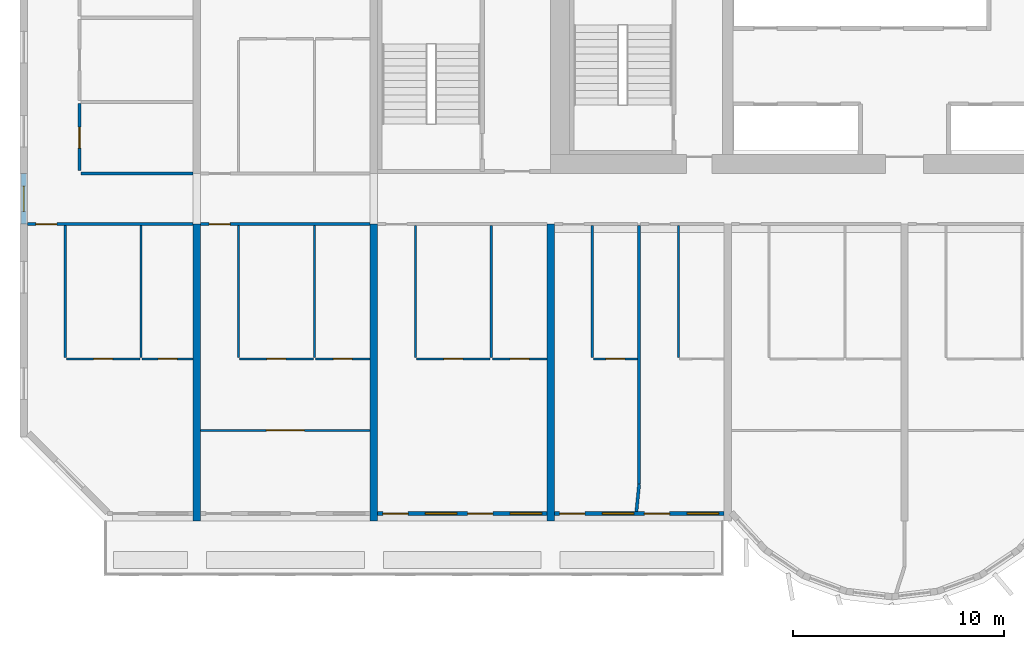
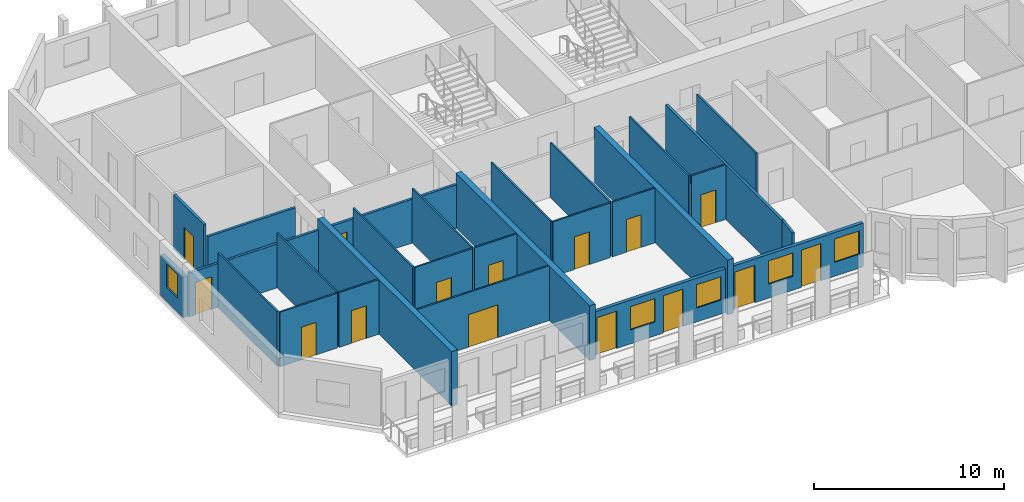
# One storey, part 3 of 15: 28 walls, 15 doors, 5 windows, 20 openings.
"""IFC4 building model written with IfcOpenShell, lengths in metres."""

from ifc_helpers import new_model, si_unit, direction, frame, frame_2d, origin, place, context, subcontext, project, spatial, rectangle, extrude, source, transform, mapped, material, layer, layer_set, type_object, element, fill, save


model = new_model("IFC4")

# Units and contexts
model_context = context("Model", 3, precision=1e-05, world=origin(), true_north=direction((0.0, 1.0)))
body_context = subcontext(model_context, "Body", "Model", "MODEL_VIEW")
ifc_project = project(units=[si_unit("LENGTHUNIT", "METRE"), si_unit("AREAUNIT", "SQUARE_METRE"), si_unit("VOLUMEUNIT", "CUBIC_METRE"), si_unit("PLANEANGLEUNIT", "RADIAN"), si_unit("MASSUNIT", "GRAM", prefix="KILO")], contexts=[model_context])

# Site, building, storey
site_placement = place(None, origin())
site = spatial("IfcSite", under=ifc_project, at=site_placement, CompositionType="ELEMENT")
building_placement = place(site_placement, origin())
building = spatial("IfcBuilding", under=site, at=building_placement, Name="Vanashikhar Sky Hotel", CompositionType="ELEMENT")
storey_placement = place(building_placement, frame((0.0, 0.0, 137.0)))
storey = spatial("IfcBuildingStorey", under=building, at=storey_placement, Name="L33", CompositionType="ELEMENT", Elevation=137.0)

# Walls
ifc_material_1 = material(Name="Concrete M70", Category="concrete")
ifc_layer_1 = layer(ifc_material_1, 0.35009765625)
ifc_layer_set_1 = layer_set([ifc_layer_1], Name="RC shear wall 350 Concrete M70")
wall_type_1 = type_object("IfcWallType", Name="RC shear wall 350 Concrete M70", PredefinedType="SHEAR", material=ifc_layer_set_1)
shared_shape_1 = source(origin(), body_context, "Body", "SweptSolid", [
    extrude(rectangle(XDim=14.10009765625, YDim=0.35009765625, at=frame_2d((7.050048828125, 0.0))), origin(), (0.0, 0.0, 1.0), 3.52001953125),
])
for number, where, z_axis, x_axis, name in (
    (1, (8.39990234375, 5.5, 0.0), (0.0, 0.0, 1.0), (0.0, 1.0, 0.0), "CW-L33-XW02-1"),
    (2, (16.800048828125, 5.5, 0.0), (0.0, 0.0, 1.0), (0.0, 1.0, 0.0), "CW-L33-XW03-1"),
    (3, (25.199951171875, 5.5, 0.0), (0.0, 0.0, 1.0), (0.0, 1.0, 0.0), "CW-L33-XW04-1"),
):
    element("IfcWall", number, at=place(storey_placement, frame(where, z_axis=z_axis, x_axis=x_axis)), inside=storey, type_object=wall_type_1, Name=name, PredefinedType="SHEAR", context=body_context, shape_type="MappedRepresentation", body=[
        mapped(shared_shape_1, transform((0.0, 0.0, 0.0), scale=1.0)),
    ])

# Wall, opening, window
ifc_material_2 = material(Name="Concrete M50", Category="concrete")
ifc_layer_2 = layer(ifc_material_2, 0.25)
ifc_layer_set_2 = layer_set([ifc_layer_2], Name="Rear and end board-marked wall 250")
wall_type_2 = type_object("IfcWallType", Name="Rear and end board-marked wall 250", PredefinedType="SOLIDWALL", material=ifc_layer_set_2)
shared_shape_2 = source(origin(), body_context, "Body", "SweptSolid", [
    extrude(rectangle(XDim=2.39990234375, YDim=0.25, at=frame_2d((1.199951171875, 0.0))), origin(), (0.0, 0.0, 1.0), 2.6201171875),
])
wall_1_placement = place(storey_placement, frame((0.175048828125, 19.60009765625, 0.0), z_axis=(0.0, 0.0, 1.0), x_axis=(0.0, 1.0, 0.0)))
wall_1 = element("IfcWall", 4, at=wall_1_placement, inside=storey, type_object=wall_type_2, Name="End corridor infill wall", PredefinedType="SOLIDWALL", context=body_context, shape_type="MappedRepresentation", body=[
    mapped(shared_shape_2, transform((0.0, 0.0, 0.0), scale=1.0)),
])
shared_shape_3 = source(origin(), body_context, "Body", "SweptSolid", [
    extrude(rectangle(XDim=1.199951171875, YDim=1.5, at=frame_2d((0.60009765625, 0.75))), frame((0.0, 0.135009765625, 0.0), z_axis=(0.0, -1.0, 0.0), x_axis=(1.0, 0.0, 0.0)), (0.0, 0.0, 1.0), 0.27001953125),
])
opening_1_placement = place(wall_1_placement, frame((0.60009765625, 0.0, 0.89990234375)))
opening_1 = element("IfcOpeningElement", 5, at=opening_1_placement, cuts=wall_1, Name="Opening WN-3", PredefinedType="OPENING", context=body_context, shape_type="MappedRepresentation", body=[
    mapped(shared_shape_3, transform((0.0, 0.0, 0.0), scale=1.0)),
])
ifc_material_3 = material(Name="Glass", Category="glass")
window_type_1 = type_object("IfcWindowType", Name="Corridor end window 1200 x 1500", PartitioningType="SINGLE_PANEL", PredefinedType="WINDOW", material=ifc_material_3)
shared_shape_4 = source(origin(), body_context, "Body", "SweptSolid", [
    extrude(rectangle(XDim=1.199951171875, YDim=1.5, at=frame_2d((0.60009765625, 0.75))), frame((0.0, 0.030029296875, 0.0), z_axis=(0.0, -1.0, 0.0), x_axis=(1.0, 0.0, 0.0)), (0.0, 0.0, 1.0), 0.06005859375),
])
window_1_placement = place(opening_1_placement, origin())
window_1 = element("IfcWindow", 6, at=window_1_placement, inside=storey, type_object=window_type_1, Name="Window WN-3", OverallHeight=1.5, OverallWidth=1.199951171875, PartitioningType="SINGLE_PANEL", PredefinedType="WINDOW", context=body_context, shape_type="MappedRepresentation", body=[
    mapped(shared_shape_4, transform((0.0, 0.0, 0.0), scale=1.0)),
])
fill(opening_1, window_1)

# Wall, openings, windows, doors
ifc_layer_3 = layer(ifc_material_2, 0.199951171875)
ifc_layer_set_3 = layer_set([ifc_layer_3], Name="Front window wall 200")
wall_type_3 = type_object("IfcWallType", Name="Front window wall 200", PredefinedType="SOLIDWALL", material=ifc_layer_set_3)
shared_shape_5 = source(origin(), body_context, "Body", "SweptSolid", [
    extrude(rectangle(XDim=8.050048828125, YDim=0.199951171875, at=frame_2d((4.02490234375, 0.0))), origin(), (0.0, 0.0, 1.0), 2.820068359375),
])
wall_2_placement = place(storey_placement, frame((25.375, 5.85009765625, 0.0), z_axis=(0.0, 0.0, 1.0), x_axis=(1.0, 0.0, 0.0)))
wall_2 = element("IfcWall", 7, at=wall_2_placement, inside=storey, type_object=wall_type_3, Name="Front window wall", PredefinedType="SOLIDWALL", context=body_context, shape_type="MappedRepresentation", body=[
    mapped(shared_shape_5, transform((0.0, 0.0, 0.0), scale=1.0)),
])
shared_shape_6 = source(origin(), body_context, "Body", "SweptSolid", [
    extrude(rectangle(XDim=1.199951171875, YDim=2.39990234375, at=frame_2d((0.60009765625, 1.199951171875))), frame((0.0, 0.10986328125, 0.0), z_axis=(0.0, -1.0, 0.0), x_axis=(1.0, 0.0, 0.0)), (0.0, 0.0, 1.0), 0.219970703125),
])
opening_2_placement = place(wall_2_placement, frame((0.25, 0.0, 0.0)))
opening_2 = element("IfcOpeningElement", 8, at=opening_2_placement, cuts=wall_2, Name="Opening BD-06", PredefinedType="OPENING", context=body_context, shape_type="MappedRepresentation", body=[
    mapped(shared_shape_6, transform((0.0, 0.0, 0.0), scale=1.0)),
])
shared_shape_7 = source(origin(), body_context, "Body", "SweptSolid", [
    extrude(rectangle(XDim=1.5, YDim=1.5, at=frame_2d((0.75, 0.75))), frame((0.0, 0.10986328125, 0.0), z_axis=(0.0, -1.0, 0.0), x_axis=(1.0, 0.0, 0.0)), (0.0, 0.0, 1.0), 0.219970703125),
])
opening_3_placement = place(wall_2_placement, frame((2.27490234375, 0.0, 0.89990234375)))
opening_3 = element("IfcOpeningElement", 9, at=opening_3_placement, cuts=wall_2, Name="Opening WN-1", PredefinedType="OPENING", context=body_context, shape_type="MappedRepresentation", body=[
    mapped(shared_shape_7, transform((0.0, 0.0, 0.0), scale=1.0)),
])
opening_4_placement = place(wall_2_placement, frame((4.27490234375, 0.0, 0.0)))
opening_4 = element("IfcOpeningElement", 10, at=opening_4_placement, cuts=wall_2, Name="Opening BD-07", PredefinedType="OPENING", context=body_context, shape_type="MappedRepresentation", body=[
    mapped(shared_shape_6, transform((0.0, 0.0, 0.0), scale=1.0)),
])
opening_5_placement = place(wall_2_placement, frame((6.300048828125, 0.0, 0.89990234375)))
opening_5 = element("IfcOpeningElement", 11, at=opening_5_placement, cuts=wall_2, Name="Opening WN-1", PredefinedType="OPENING", context=body_context, shape_type="MappedRepresentation", body=[
    mapped(shared_shape_7, transform((0.0, 0.0, 0.0), scale=1.0)),
])
window_type_2 = type_object("IfcWindowType", Name="Window 1500 x 1500", PartitioningType="SINGLE_PANEL", PredefinedType="WINDOW", material=ifc_material_3)
shared_shape_8 = source(origin(), body_context, "Body", "SweptSolid", [
    extrude(rectangle(XDim=1.5, YDim=1.5, at=frame_2d((0.75, 0.75))), frame((0.0, 0.030029296875, 0.0), z_axis=(0.0, -1.0, 0.0), x_axis=(1.0, 0.0, 0.0)), (0.0, 0.0, 1.0), 0.06005859375),
])
window_2_placement = place(opening_3_placement, origin())
window_2 = element("IfcWindow", 12, at=window_2_placement, inside=storey, type_object=window_type_2, Name="Window WN-1", OverallHeight=1.5, OverallWidth=1.5, PartitioningType="SINGLE_PANEL", PredefinedType="WINDOW", context=body_context, shape_type="MappedRepresentation", body=[
    mapped(shared_shape_8, transform((0.0, 0.0, 0.0), scale=1.0)),
])
fill(opening_3, window_2)
window_3_placement = place(opening_5_placement, origin())
window_3 = element("IfcWindow", 13, at=window_3_placement, inside=storey, type_object=window_type_2, Name="Window WN-1", OverallHeight=1.5, OverallWidth=1.5, PartitioningType="SINGLE_PANEL", PredefinedType="WINDOW", context=body_context, shape_type="MappedRepresentation", body=[
    mapped(shared_shape_8, transform((0.0, 0.0, 0.0), scale=1.0)),
])
fill(opening_5, window_3)
ifc_material_4 = material(Name="Aluminium", Category="aluminium")
door_type_1 = type_object("IfcDoorType", Name="Balcony sliding door 1200 x 2400", OperationType="NOTDEFINED", PredefinedType="DOOR", material=ifc_material_4)
shared_shape_9 = source(origin(), body_context, "Body", "SweptSolid", [
    extrude(rectangle(XDim=1.199951171875, YDim=2.39990234375, at=frame_2d((0.60009765625, 1.199951171875))), frame((0.0, 0.02490234375, 0.0), z_axis=(0.0, -1.0, 0.0), x_axis=(1.0, 0.0, 0.0)), (0.0, 0.0, 1.0), 0.050048828125),
])
door_1_placement = place(opening_2_placement, origin())
door_1 = element("IfcDoor", 14, at=door_1_placement, inside=storey, type_object=door_type_1, Name="Balcony sliding door", OperationType="SLIDING_TO_RIGHT", OverallHeight=2.39990234375, OverallWidth=1.199951171875, PredefinedType="DOOR", context=body_context, shape_type="MappedRepresentation", body=[
    mapped(shared_shape_9, transform((0.0, 0.0, 0.0), scale=1.0)),
])
fill(opening_2, door_1)
door_2_placement = place(opening_4_placement, origin())
door_2 = element("IfcDoor", 15, at=door_2_placement, inside=storey, type_object=door_type_1, Name="Balcony sliding door", OperationType="SLIDING_TO_LEFT", OverallHeight=2.39990234375, OverallWidth=1.199951171875, PredefinedType="DOOR", context=body_context, shape_type="MappedRepresentation", body=[
    mapped(shared_shape_9, transform((0.0, 0.0, 0.0), scale=1.0)),
])
fill(opening_4, door_2)

shared_shape_10 = source(origin(), body_context, "Body", "SweptSolid", [
    extrude(rectangle(XDim=8.0498046875, YDim=0.199951171875, at=frame_2d((4.02490234375, 0.0))), origin(), (0.0, 0.0, 1.0), 2.820068359375),
])
wall_3_placement = place(storey_placement, frame((16.97509765625, 5.85009765625, 0.0), z_axis=(0.0, 0.0, 1.0), x_axis=(1.0, 0.0, 0.0)))
wall_3 = element("IfcWall", 16, at=wall_3_placement, inside=storey, type_object=wall_type_3, Name="Front window wall", PredefinedType="SOLIDWALL", context=body_context, shape_type="MappedRepresentation", body=[
    mapped(shared_shape_10, transform((0.0, 0.0, 0.0), scale=1.0)),
])
opening_6_placement = place(wall_3_placement, frame((0.25, 0.0, 0.0)))
opening_6 = element("IfcOpeningElement", 17, at=opening_6_placement, cuts=wall_3, Name="Opening BD-04", PredefinedType="OPENING", context=body_context, shape_type="MappedRepresentation", body=[
    mapped(shared_shape_6, transform((0.0, 0.0, 0.0), scale=1.0)),
])
opening_7_placement = place(wall_3_placement, frame((2.27490234375, 0.0, 0.89990234375)))
opening_7 = element("IfcOpeningElement", 18, at=opening_7_placement, cuts=wall_3, Name="Opening WN-1", PredefinedType="OPENING", context=body_context, shape_type="MappedRepresentation", body=[
    mapped(shared_shape_7, transform((0.0, 0.0, 0.0), scale=1.0)),
])
opening_8_placement = place(wall_3_placement, frame((4.27490234375, 0.0, 0.0)))
opening_8 = element("IfcOpeningElement", 19, at=opening_8_placement, cuts=wall_3, Name="Opening BD-05", PredefinedType="OPENING", context=body_context, shape_type="MappedRepresentation", body=[
    mapped(shared_shape_6, transform((0.0, 0.0, 0.0), scale=1.0)),
])
opening_9_placement = place(wall_3_placement, frame((6.300048828125, 0.0, 0.89990234375)))
opening_9 = element("IfcOpeningElement", 20, at=opening_9_placement, cuts=wall_3, Name="Opening WN-1", PredefinedType="OPENING", context=body_context, shape_type="MappedRepresentation", body=[
    mapped(shared_shape_7, transform((0.0, 0.0, 0.0), scale=1.0)),
])
window_4_placement = place(opening_7_placement, origin())
window_4 = element("IfcWindow", 21, at=window_4_placement, inside=storey, type_object=window_type_2, Name="Window WN-1", OverallHeight=1.5, OverallWidth=1.5, PartitioningType="SINGLE_PANEL", PredefinedType="WINDOW", context=body_context, shape_type="MappedRepresentation", body=[
    mapped(shared_shape_8, transform((0.0, 0.0, 0.0), scale=1.0)),
])
fill(opening_7, window_4)
window_5_placement = place(opening_9_placement, origin())
window_5 = element("IfcWindow", 22, at=window_5_placement, inside=storey, type_object=window_type_2, Name="Window WN-1", OverallHeight=1.5, OverallWidth=1.5, PartitioningType="SINGLE_PANEL", PredefinedType="WINDOW", context=body_context, shape_type="MappedRepresentation", body=[
    mapped(shared_shape_8, transform((0.0, 0.0, 0.0), scale=1.0)),
])
fill(opening_9, window_5)
door_3_placement = place(opening_6_placement, origin())
door_3 = element("IfcDoor", 23, at=door_3_placement, inside=storey, type_object=door_type_1, Name="Balcony sliding door", OperationType="SLIDING_TO_RIGHT", OverallHeight=2.39990234375, OverallWidth=1.199951171875, PredefinedType="DOOR", context=body_context, shape_type="MappedRepresentation", body=[
    mapped(shared_shape_9, transform((0.0, 0.0, 0.0), scale=1.0)),
])
fill(opening_6, door_3)
door_4_placement = place(opening_8_placement, origin())
door_4 = element("IfcDoor", 24, at=door_4_placement, inside=storey, type_object=door_type_1, Name="Balcony sliding door", OperationType="SLIDING_TO_LEFT", OverallHeight=2.39990234375, OverallWidth=1.199951171875, PredefinedType="DOOR", context=body_context, shape_type="MappedRepresentation", body=[
    mapped(shared_shape_9, transform((0.0, 0.0, 0.0), scale=1.0)),
])
fill(opening_8, door_4)

# Wall, opening, door
ifc_material_5 = material(Name="Gypsum plasterboard partition")
ifc_layer_4 = layer(ifc_material_5, 0.10009765625)
ifc_layer_set_4 = layer_set([ifc_layer_4], Name="Wet room partition 100")
wall_type_4 = type_object("IfcWallType", Name="Wet room partition 100", PredefinedType="PARTITIONING", material=ifc_layer_set_4)
shared_shape_11 = source(origin(), body_context, "Body", "SweptSolid", [
    extrude(rectangle(XDim=3.5, YDim=0.10009765625, at=frame_2d((1.75, 0.0))), origin(), (0.0, 0.0, 1.0), 3.52001953125),
])
wall_4_placement = place(storey_placement, frame((2.199951171875, 13.199951171875, 0.0), z_axis=(0.0, 0.0, 1.0), x_axis=(1.0, 0.0, 0.0)))
wall_4 = element("IfcWall", 25, at=wall_4_placement, inside=storey, type_object=wall_type_4, Name="W-L33-PW003", PredefinedType="PARTITIONING", context=body_context, shape_type="MappedRepresentation", body=[
    mapped(shared_shape_11, transform((0.0, 0.0, 0.0), scale=1.0)),
])
shared_shape_12 = source(origin(), body_context, "Body", "SweptSolid", [
    extrude(rectangle(XDim=0.89990234375, YDim=2.10009765625, at=frame_2d((0.449951171875, 1.050048828125))), frame((0.0, 0.06005859375, 0.0), z_axis=(0.0, -1.0, 0.0), x_axis=(1.0, 0.0, 0.0)), (0.0, 0.0, 1.0), 0.1201171875),
])
opening_10_placement = place(wall_4_placement, frame((1.300048828125, 0.0, 0.0)))
opening_10 = element("IfcOpeningElement", 26, at=opening_10_placement, cuts=wall_4, Name="Opening D-02", PredefinedType="OPENING", context=body_context, shape_type="MappedRepresentation", body=[
    mapped(shared_shape_12, transform((0.0, 0.0, 0.0), scale=1.0)),
])
ifc_material_6 = material(Name="Timber door", Category="wood")
door_type_2 = type_object("IfcDoorType", Name="Internal door 900", OperationType="NOTDEFINED", PredefinedType="DOOR", material=ifc_material_6)
shared_shape_13 = source(origin(), body_context, "Body", "SweptSolid", [
    extrude(rectangle(XDim=0.89990234375, YDim=2.10009765625, at=frame_2d((0.449951171875, 1.050048828125))), frame((0.0, 0.02490234375, 0.0), z_axis=(0.0, -1.0, 0.0), x_axis=(1.0, 0.0, 0.0)), (0.0, 0.0, 1.0), 0.050048828125),
])
door_5_placement = place(opening_10_placement, origin())
door_5 = element("IfcDoor", 27, at=door_5_placement, inside=storey, type_object=door_type_2, Name="D-L33-001", OperationType="SINGLE_SWING_LEFT", OverallHeight=2.10009765625, OverallWidth=0.89990234375, PredefinedType="DOOR", context=body_context, shape_type="MappedRepresentation", body=[
    mapped(shared_shape_13, transform((0.0, 0.0, 0.0), scale=1.0)),
])
fill(opening_10, door_5)

wall_5_placement = place(storey_placement, frame((10.425048828125, 13.199951171875, 0.0), z_axis=(0.0, 0.0, 1.0), x_axis=(1.0, 0.0, 0.0)))
wall_5 = element("IfcWall", 28, at=wall_5_placement, inside=storey, type_object=wall_type_4, Name="W-L33-PW008", PredefinedType="PARTITIONING", context=body_context, shape_type="MappedRepresentation", body=[
    mapped(shared_shape_11, transform((0.0, 0.0, 0.0), scale=1.0)),
])
opening_11_placement = place(wall_5_placement, frame((1.300048828125, 0.0, 0.0)))
opening_11 = element("IfcOpeningElement", 29, at=opening_11_placement, cuts=wall_5, Name="Opening D-02", PredefinedType="OPENING", context=body_context, shape_type="MappedRepresentation", body=[
    mapped(shared_shape_12, transform((0.0, 0.0, 0.0), scale=1.0)),
])
door_6_placement = place(opening_11_placement, origin())
door_6 = element("IfcDoor", 30, at=door_6_placement, inside=storey, type_object=door_type_2, Name="D-L33-004", OperationType="SINGLE_SWING_LEFT", OverallHeight=2.10009765625, OverallWidth=0.89990234375, PredefinedType="DOOR", context=body_context, shape_type="MappedRepresentation", body=[
    mapped(shared_shape_13, transform((0.0, 0.0, 0.0), scale=1.0)),
])
fill(opening_11, door_6)

wall_6_placement = place(storey_placement, frame((18.824951171875, 13.199951171875, 0.0), z_axis=(0.0, 0.0, 1.0), x_axis=(1.0, 0.0, 0.0)))
wall_6 = element("IfcWall", 31, at=wall_6_placement, inside=storey, type_object=wall_type_4, Name="W-L33-PW014", PredefinedType="PARTITIONING", context=body_context, shape_type="MappedRepresentation", body=[
    mapped(shared_shape_11, transform((0.0, 0.0, 0.0), scale=1.0)),
])
opening_12_placement = place(wall_6_placement, frame((1.300048828125, 0.0, 0.0)))
opening_12 = element("IfcOpeningElement", 32, at=opening_12_placement, cuts=wall_6, Name="Opening D-02", PredefinedType="OPENING", context=body_context, shape_type="MappedRepresentation", body=[
    mapped(shared_shape_12, transform((0.0, 0.0, 0.0), scale=1.0)),
])
door_7_placement = place(opening_12_placement, origin())
door_7 = element("IfcDoor", 33, at=door_7_placement, inside=storey, type_object=door_type_2, Name="D-L33-008", OperationType="SINGLE_SWING_LEFT", OverallHeight=2.10009765625, OverallWidth=0.89990234375, PredefinedType="DOOR", context=body_context, shape_type="MappedRepresentation", body=[
    mapped(shared_shape_13, transform((0.0, 0.0, 0.0), scale=1.0)),
])
fill(opening_12, door_7)

# Walls
shared_shape_14 = source(origin(), body_context, "Body", "SweptSolid", [
    extrude(rectangle(XDim=6.25, YDim=0.10009765625, at=frame_2d((3.125, 0.0))), origin(), (0.0, 0.0, 1.0), 3.52001953125),
])
for number, where, z_axis, x_axis, name in (
    (34, (2.14990234375, 13.27490234375, 0.0), (0.0, 0.0, 1.0), (0.0, 1.0, 0.0), "W-L33-PW001"),
    (35, (5.75, 13.27490234375, 0.0), (0.0, 0.0, 1.0), (0.0, 1.0, 0.0), "W-L33-PW002"),
    (36, (10.375, 13.27490234375, 0.0), (0.0, 0.0, 1.0), (0.0, 1.0, 0.0), "W-L33-PW006"),
    (37, (13.97509765625, 13.27490234375, 0.0), (0.0, 0.0, 1.0), (0.0, 1.0, 0.0), "W-L33-PW007"),
    (38, (18.77490234375, 13.27490234375, 0.0), (0.0, 0.0, 1.0), (0.0, 1.0, 0.0), "W-L33-PW012"),
    (39, (22.375, 13.27490234375, 0.0), (0.0, 0.0, 1.0), (0.0, 1.0, 0.0), "W-L33-PW013"),
    (40, (27.175048828125, 13.27490234375, 0.0), (0.0, 0.0, 1.0), (0.0, 1.0, 0.0), "W-L33-PW017"),
    (41, (31.27490234375, 13.27490234375, 0.0), (0.0, 0.0, 1.0), (0.0, 1.0, 0.0), "W-L33-PW020"),
):
    element("IfcWall", number, at=place(storey_placement, frame(where, z_axis=z_axis, x_axis=x_axis)), inside=storey, type_object=wall_type_4, Name=name, PredefinedType="PARTITIONING", context=body_context, shape_type="MappedRepresentation", body=[
        mapped(shared_shape_14, transform((0.0, 0.0, 0.0), scale=1.0)),
    ])

# Wall, opening, door
ifc_layer_5 = layer(ifc_material_5, 0.14990234375)
ifc_layer_set_5 = layer_set([ifc_layer_5], Name="Corridor and demising partition 150")
wall_type_5 = type_object("IfcWallType", Name="Corridor and demising partition 150", PredefinedType="PARTITIONING", material=ifc_layer_set_5)
shared_shape_15 = source(origin(), body_context, "Body", "SweptSolid", [
    extrude(rectangle(XDim=3.175048828125, YDim=0.14990234375, at=frame_2d((1.58740234375, 0.0))), origin(), (0.0, 0.0, 1.0), 3.52001953125),
])
wall_7_placement = place(storey_placement, frame((2.824951171875, 22.14990234375, 0.0), z_axis=(0.0, 0.0, 1.0), x_axis=(0.0, 1.0, 0.0)))
wall_7 = element("IfcWall", 42, at=wall_7_placement, inside=storey, type_object=wall_type_5, Name="W-L33-PW073", PredefinedType="PARTITIONING", context=body_context, shape_type="MappedRepresentation", body=[
    mapped(shared_shape_15, transform((0.0, 0.0, 0.0), scale=1.0)),
])
shared_shape_16 = source(origin(), body_context, "Body", "SweptSolid", [
    extrude(rectangle(XDim=1.0, YDim=2.10009765625, at=frame_2d((0.5, 1.050048828125))), frame((0.0, 0.0849609375, 0.0), z_axis=(0.0, -1.0, 0.0), x_axis=(1.0, 0.0, 0.0)), (0.0, 0.0, 1.0), 0.169921875),
])
opening_13_placement = place(wall_7_placement, frame((1.050048828125, 0.0, 0.0)))
opening_13 = element("IfcOpeningElement", 43, at=opening_13_placement, cuts=wall_7, Name="Opening D-01", PredefinedType="OPENING", context=body_context, shape_type="MappedRepresentation", body=[
    mapped(shared_shape_16, transform((0.0, 0.0, 0.0), scale=1.0)),
])
ifc_material_7 = material(Name="Timber fire door", Category="wood")
door_type_3 = type_object("IfcDoorType", Name="Guest entry door 1000 FD30S", OperationType="NOTDEFINED", PredefinedType="DOOR", material=ifc_material_7)
shared_shape_17 = source(origin(), body_context, "Body", "SweptSolid", [
    extrude(rectangle(XDim=1.0, YDim=2.10009765625, at=frame_2d((0.5, 1.050048828125))), frame((0.0, 0.02490234375, 0.0), z_axis=(0.0, -1.0, 0.0), x_axis=(1.0, 0.0, 0.0)), (0.0, 0.0, 1.0), 0.050048828125),
])
door_8_placement = place(opening_13_placement, origin())
door_8 = element("IfcDoor", 44, at=door_8_placement, inside=storey, type_object=door_type_3, Name="D-L33-045", OperationType="SINGLE_SWING_LEFT", OverallHeight=2.10009765625, OverallWidth=1.0, PredefinedType="DOOR", context=body_context, shape_type="MappedRepresentation", body=[
    mapped(shared_shape_17, transform((0.0, 0.0, 0.0), scale=1.0)),
])
fill(opening_13, door_8)

shared_shape_18 = source(origin(), body_context, "Body", "SweptSolid", [
    extrude(rectangle(XDim=2.60009765625, YDim=0.10009765625, at=frame_2d((1.300048828125, 0.0))), origin(), (0.0, 0.0, 1.0), 3.52001953125),
])
wall_8_placement = place(storey_placement, frame((14.02490234375, 13.199951171875, 0.0), z_axis=(0.0, 0.0, 1.0), x_axis=(1.0, 0.0, 0.0)))
wall_8 = element("IfcWall", 45, at=wall_8_placement, inside=storey, type_object=wall_type_4, Name="W-L33-PW009", PredefinedType="PARTITIONING", context=body_context, shape_type="MappedRepresentation", body=[
    mapped(shared_shape_18, transform((0.0, 0.0, 0.0), scale=1.0)),
])
opening_14_placement = place(wall_8_placement, frame((0.85009765625, 0.0, 0.0)))
opening_14 = element("IfcOpeningElement", 46, at=opening_14_placement, cuts=wall_8, Name="Opening D-02", PredefinedType="OPENING", context=body_context, shape_type="MappedRepresentation", body=[
    mapped(shared_shape_12, transform((0.0, 0.0, 0.0), scale=1.0)),
])
door_9_placement = place(opening_14_placement, origin())
door_9 = element("IfcDoor", 47, at=door_9_placement, inside=storey, type_object=door_type_2, Name="D-L33-005", OperationType="SINGLE_SWING_LEFT", OverallHeight=2.10009765625, OverallWidth=0.89990234375, PredefinedType="DOOR", context=body_context, shape_type="MappedRepresentation", body=[
    mapped(shared_shape_13, transform((0.0, 0.0, 0.0), scale=1.0)),
])
fill(opening_14, door_9)

shared_shape_19 = source(origin(), body_context, "Body", "SweptSolid", [
    extrude(rectangle(XDim=8.050048828125, YDim=0.14990234375, at=frame_2d((4.02490234375, 0.0))), origin(), (0.0, 0.0, 1.0), 2.820068359375),
])
wall_9_placement = place(storey_placement, frame((8.574951171875, 19.60009765625, 0.0), z_axis=(0.0, 0.0, 1.0), x_axis=(1.0, 0.0, 0.0)))
wall_9 = element("IfcWall", 48, at=wall_9_placement, inside=storey, type_object=wall_type_5, Name="W-L33-PW011", PredefinedType="PARTITIONING", context=body_context, shape_type="MappedRepresentation", body=[
    mapped(shared_shape_19, transform((0.0, 0.0, 0.0), scale=1.0)),
])
opening_15_placement = place(wall_9_placement, frame((0.39990234375, 0.0, 0.0)))
opening_15 = element("IfcOpeningElement", 49, at=opening_15_placement, cuts=wall_9, Name="Opening D-01", PredefinedType="OPENING", context=body_context, shape_type="MappedRepresentation", body=[
    mapped(shared_shape_16, transform((0.0, 0.0, 0.0), scale=1.0)),
])
door_10_placement = place(opening_15_placement, origin())
door_10 = element("IfcDoor", 50, at=door_10_placement, inside=storey, type_object=door_type_3, Name="D-L33-007", OperationType="SINGLE_SWING_LEFT", OverallHeight=2.10009765625, OverallWidth=1.0, PredefinedType="DOOR", context=body_context, shape_type="MappedRepresentation", body=[
    mapped(shared_shape_17, transform((0.0, 0.0, 0.0), scale=1.0)),
])
fill(opening_15, door_10)

shared_shape_20 = source(origin(), body_context, "Body", "SweptSolid", [
    extrude(rectangle(XDim=2.099853515625, YDim=0.10009765625, at=frame_2d((1.0498046875, 0.0))), origin(), (0.0, 0.0, 1.0), 3.52001953125),
])
wall_10_placement = place(storey_placement, frame((27.22509765625, 13.199951171875, 0.0), z_axis=(0.0, 0.0, 1.0), x_axis=(1.0, 0.0, 0.0)))
wall_10 = element("IfcWall", 51, at=wall_10_placement, inside=storey, type_object=wall_type_4, Name="W-L33-PW018", PredefinedType="PARTITIONING", context=body_context, shape_type="MappedRepresentation", body=[
    mapped(shared_shape_20, transform((0.0, 0.0, 0.0), scale=1.0)),
])
opening_16_placement = place(wall_10_placement, frame((0.60009765625, 0.0, 0.0)))
opening_16 = element("IfcOpeningElement", 52, at=opening_16_placement, cuts=wall_10, Name="Opening D-02", PredefinedType="OPENING", context=body_context, shape_type="MappedRepresentation", body=[
    mapped(shared_shape_12, transform((0.0, 0.0, 0.0), scale=1.0)),
])
door_11_placement = place(opening_16_placement, origin())
door_11 = element("IfcDoor", 53, at=door_11_placement, inside=storey, type_object=door_type_2, Name="D-L33-011", OperationType="SINGLE_SWING_LEFT", OverallHeight=2.10009765625, OverallWidth=0.89990234375, PredefinedType="DOOR", context=body_context, shape_type="MappedRepresentation", body=[
    mapped(shared_shape_13, transform((0.0, 0.0, 0.0), scale=1.0)),
])
fill(opening_16, door_11)

# Wall
shared_shape_21 = source(origin(), body_context, "Body", "SweptSolid", [
    extrude(rectangle(XDim=12.27490234375, YDim=0.14990234375, at=frame_2d((6.137451171875, 0.0))), origin(), (0.0, 0.0, 1.0), 3.52001953125),
])
wall_11_placement = place(storey_placement, frame((29.39990234375, 7.25, 0.0), z_axis=(0.0, 0.0, 1.0), x_axis=(0.0, 1.0, 0.0)))
element("IfcWall", 54, at=wall_11_placement, inside=storey, type_object=wall_type_5, Name="W-L33-PW023", PredefinedType="PARTITIONING", context=body_context, shape_type="MappedRepresentation", body=[
    mapped(shared_shape_21, transform((0.0, 0.0, 0.0), scale=1.0)),
])

# Wall, opening, door
shared_shape_22 = source(origin(), body_context, "Body", "SweptSolid", [
    extrude(rectangle(XDim=2.599853515625, YDim=0.10009765625, at=frame_2d((1.2998046875, 0.0))), origin(), (0.0, 0.0, 1.0), 3.52001953125),
])
wall_12_placement = place(storey_placement, frame((22.425048828125, 13.199951171875, 0.0), z_axis=(0.0, 0.0, 1.0), x_axis=(1.0, 0.0, 0.0)))
wall_12 = element("IfcWall", 55, at=wall_12_placement, inside=storey, type_object=wall_type_4, Name="W-L33-PW015", PredefinedType="PARTITIONING", context=body_context, shape_type="MappedRepresentation", body=[
    mapped(shared_shape_22, transform((0.0, 0.0, 0.0), scale=1.0)),
])
opening_17_placement = place(wall_12_placement, frame((0.85009765625, 0.0, 0.0)))
opening_17 = element("IfcOpeningElement", 56, at=opening_17_placement, cuts=wall_12, Name="Opening D-02", PredefinedType="OPENING", context=body_context, shape_type="MappedRepresentation", body=[
    mapped(shared_shape_12, transform((0.0, 0.0, 0.0), scale=1.0)),
])
door_12_placement = place(opening_17_placement, origin())
door_12 = element("IfcDoor", 57, at=door_12_placement, inside=storey, type_object=door_type_2, Name="D-L33-009", OperationType="SINGLE_SWING_LEFT", OverallHeight=2.10009765625, OverallWidth=0.89990234375, PredefinedType="DOOR", context=body_context, shape_type="MappedRepresentation", body=[
    mapped(shared_shape_13, transform((0.0, 0.0, 0.0), scale=1.0)),
])
fill(opening_17, door_12)

# Walls
shared_shape_23 = source(origin(), body_context, "Body", "SweptSolid", [
    extrude(rectangle(XDim=5.3251953125, YDim=0.14990234375, at=frame_2d((2.66259765625, 0.0))), origin(), (0.0, 0.0, 1.0), 2.820068359375),
])
wall_13_placement = place(storey_placement, frame((2.89990234375, 22.0, 0.0), z_axis=(0.0, 0.0, 1.0), x_axis=(1.0, 0.0, 0.0)))
element("IfcWall", 58, at=wall_13_placement, inside=storey, type_object=wall_type_5, Name="W-L33-PW072", PredefinedType="PARTITIONING", context=body_context, shape_type="MappedRepresentation", body=[
    mapped(shared_shape_23, transform((0.0, 0.0, 0.0), scale=1.0)),
])
shared_shape_24 = source(origin(), body_context, "Body", "SweptSolid", [
    extrude(rectangle(XDim=1.306640625, YDim=0.14990234375, at=frame_2d((0.6533203125, 0.0))), origin(), (0.0, 0.0, 1.0), 3.52001953125),
])
wall_14_placement = place(storey_placement, frame((29.27001953125, 5.949951171875, 0.0), z_axis=(0.0, 0.0, 1.0), x_axis=(0.099411212066, 0.995046436562, 0.0)))
element("IfcWall", 59, at=wall_14_placement, inside=storey, type_object=wall_type_5, Name="W-L33-PW023B0", PredefinedType="PARTITIONING", context=body_context, shape_type="MappedRepresentation", body=[
    mapped(shared_shape_24, transform((0.0, 0.0, 0.0), scale=1.0)),
])

# Wall, opening, door
shared_shape_25 = source(origin(), body_context, "Body", "SweptSolid", [
    extrude(rectangle(XDim=7.875, YDim=0.14990234375, at=frame_2d((3.9375, 0.0))), origin(), (0.0, 0.0, 1.0), 2.820068359375),
])
wall_15_placement = place(storey_placement, frame((0.35009765625, 19.60009765625, 0.0), z_axis=(0.0, 0.0, 1.0), x_axis=(1.0, 0.0, 0.0)))
wall_15 = element("IfcWall", 60, at=wall_15_placement, inside=storey, type_object=wall_type_5, Name="W-L33-PW005", PredefinedType="PARTITIONING", context=body_context, shape_type="MappedRepresentation", body=[
    mapped(shared_shape_25, transform((0.0, 0.0, 0.0), scale=1.0)),
])
opening_18_placement = place(wall_15_placement, frame((0.39990234375, 0.0, 0.0)))
opening_18 = element("IfcOpeningElement", 61, at=opening_18_placement, cuts=wall_15, Name="Opening D-01", PredefinedType="OPENING", context=body_context, shape_type="MappedRepresentation", body=[
    mapped(shared_shape_16, transform((0.0, 0.0, 0.0), scale=1.0)),
])
door_13_placement = place(opening_18_placement, origin())
door_13 = element("IfcDoor", 62, at=door_13_placement, inside=storey, type_object=door_type_3, Name="D-L33-003", OperationType="SINGLE_SWING_LEFT", OverallHeight=2.10009765625, OverallWidth=1.0, PredefinedType="DOOR", context=body_context, shape_type="MappedRepresentation", body=[
    mapped(shared_shape_17, transform((0.0, 0.0, 0.0), scale=1.0)),
])
fill(opening_18, door_13)

shared_shape_26 = source(origin(), body_context, "Body", "SweptSolid", [
    extrude(rectangle(XDim=8.050048828125, YDim=0.10009765625, at=frame_2d((4.02490234375, 0.0))), origin(), (0.0, 0.0, 1.0), 3.52001953125),
])
wall_16_placement = place(storey_placement, frame((8.574951171875, 9.802001953125, 0.0), z_axis=(0.0, 0.0, 1.0), x_axis=(1.0, 0.0, 0.0)))
wall_16 = element("IfcWall", 63, at=wall_16_placement, inside=storey, type_object=wall_type_4, Name="W-L33-PW010", PredefinedType="PARTITIONING", context=body_context, shape_type="MappedRepresentation", body=[
    mapped(shared_shape_26, transform((0.0, 0.0, 0.0), scale=1.0)),
])
shared_shape_27 = source(origin(), body_context, "Body", "SweptSolid", [
    extrude(rectangle(XDim=1.800048828125, YDim=2.10009765625, at=frame_2d((0.89990234375, 1.050048828125))), frame((0.0, 0.06005859375, 0.0), z_axis=(0.0, -1.0, 0.0), x_axis=(1.0, 0.0, 0.0)), (0.0, 0.0, 1.0), 0.1201171875),
])
opening_19_placement = place(wall_16_placement, frame((3.125, 0.0, 0.0)))
opening_19 = element("IfcOpeningElement", 64, at=opening_19_placement, cuts=wall_16, Name="Opening D-08", PredefinedType="OPENING", context=body_context, shape_type="MappedRepresentation", body=[
    mapped(shared_shape_27, transform((0.0, 0.0, 0.0), scale=1.0)),
])
door_type_4 = type_object("IfcDoorType", Name="Double leaf door 1800", OperationType="NOTDEFINED", PredefinedType="DOOR", material=ifc_material_6)
shared_shape_28 = source(origin(), body_context, "Body", "SweptSolid", [
    extrude(rectangle(XDim=1.800048828125, YDim=2.10009765625, at=frame_2d((0.89990234375, 1.050048828125))), frame((0.0, 0.02490234375, 0.0), z_axis=(0.0, -1.0, 0.0), x_axis=(1.0, 0.0, 0.0)), (0.0, 0.0, 1.0), 0.050048828125),
])
door_14_placement = place(opening_19_placement, origin())
door_14 = element("IfcDoor", 65, at=door_14_placement, inside=storey, type_object=door_type_4, Name="D-L33-006", OperationType="DOUBLE_DOOR_SINGLE_SWING", OverallHeight=2.10009765625, OverallWidth=1.800048828125, PredefinedType="DOOR", context=body_context, shape_type="MappedRepresentation", body=[
    mapped(shared_shape_28, transform((0.0, 0.0, 0.0), scale=1.0)),
])
fill(opening_19, door_14)

shared_shape_29 = source(origin(), body_context, "Body", "SweptSolid", [
    extrude(rectangle(XDim=2.425048828125, YDim=0.10009765625, at=frame_2d((1.21240234375, 0.0))), origin(), (0.0, 0.0, 1.0), 3.52001953125),
])
wall_17_placement = place(storey_placement, frame((5.800048828125, 13.199951171875, 0.0), z_axis=(0.0, 0.0, 1.0), x_axis=(1.0, 0.0, 0.0)))
wall_17 = element("IfcWall", 66, at=wall_17_placement, inside=storey, type_object=wall_type_4, Name="W-L33-PW004", PredefinedType="PARTITIONING", context=body_context, shape_type="MappedRepresentation", body=[
    mapped(shared_shape_29, transform((0.0, 0.0, 0.0), scale=1.0)),
])
opening_20_placement = place(wall_17_placement, frame((0.761962890625, 0.0, 0.0)))
opening_20 = element("IfcOpeningElement", 67, at=opening_20_placement, cuts=wall_17, Name="Opening D-02", PredefinedType="OPENING", context=body_context, shape_type="MappedRepresentation", body=[
    mapped(shared_shape_12, transform((0.0, 0.0, 0.0), scale=1.0)),
])
door_15_placement = place(opening_20_placement, origin())
door_15 = element("IfcDoor", 68, at=door_15_placement, inside=storey, type_object=door_type_2, Name="D-L33-002", OperationType="SINGLE_SWING_LEFT", OverallHeight=2.10009765625, OverallWidth=0.89990234375, PredefinedType="DOOR", context=body_context, shape_type="MappedRepresentation", body=[
    mapped(shared_shape_13, transform((0.0, 0.0, 0.0), scale=1.0)),
])
fill(opening_20, door_15)

save(model, "model.ifc")
